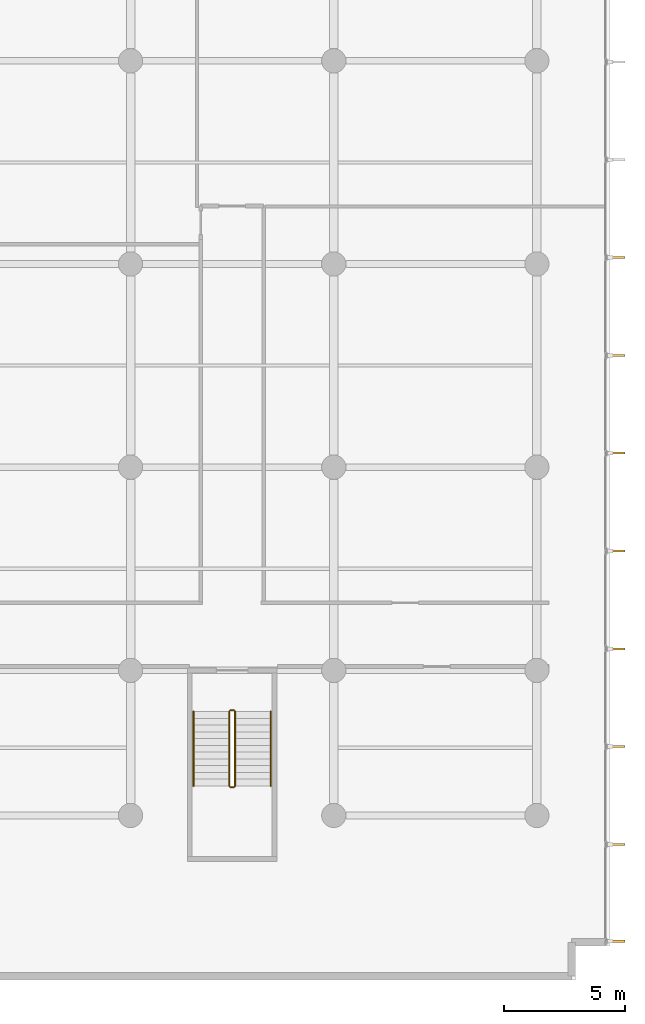
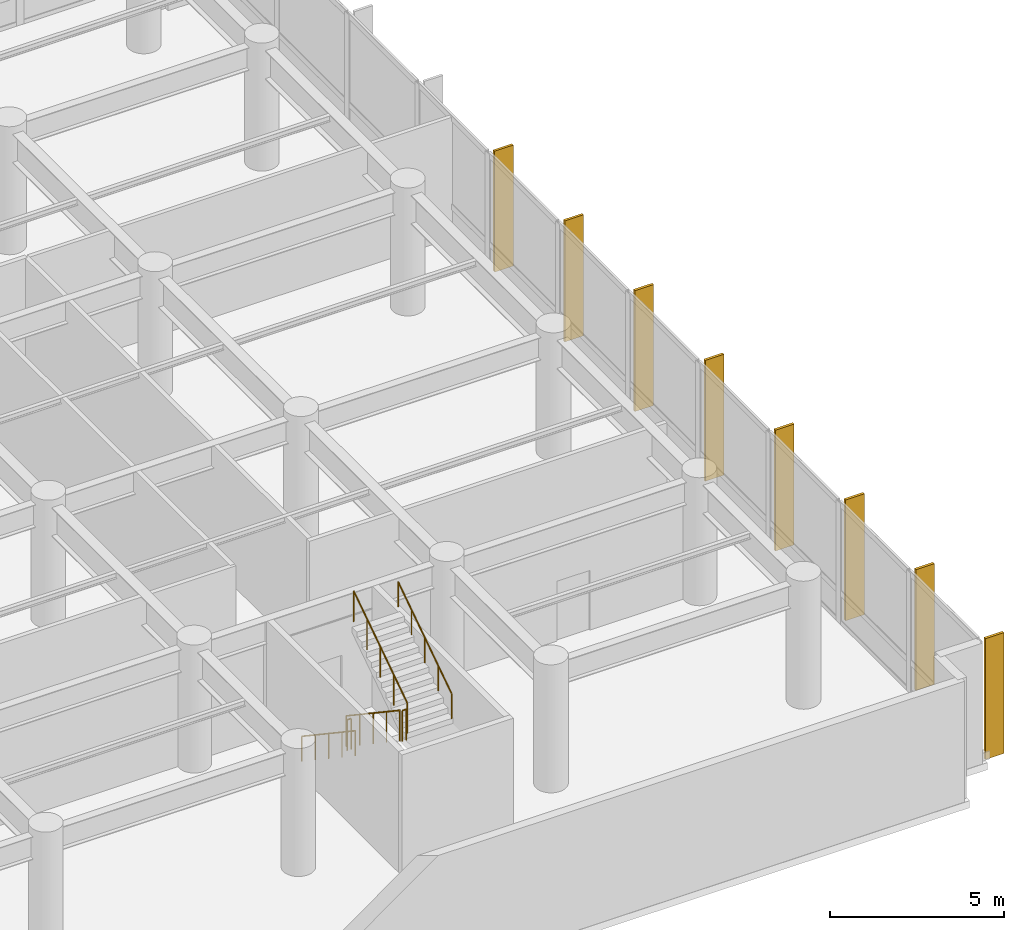
# One storey, part 25 of 26: 8 shading devices, 6 railings.
"""IFC4 building model written with IfcOpenShell, lengths in metres."""

from ifc_helpers import new_model, si_unit, direction, frame, origin, origin_2d, place, context, subcontext, project, spatial, rectangle, circle, extrude, material, layer, layer_set, type_object, element, save


model = new_model("IFC4")

# Units and contexts
model_context = context("Model", 3, precision=1e-05, world=origin(), true_north=direction((0.0, 1.0)))
body_context = subcontext(model_context, "Body", "Model", "MODEL_VIEW")
ifc_project = project(units=[si_unit("LENGTHUNIT", "METRE"), si_unit("AREAUNIT", "SQUARE_METRE"), si_unit("VOLUMEUNIT", "CUBIC_METRE"), si_unit("PLANEANGLEUNIT", "RADIAN"), si_unit("MASSUNIT", "GRAM", prefix="KILO")], contexts=[model_context])

# Site, building, storey
site_placement = place(None, origin())
site = spatial("IfcSite", under=ifc_project, at=site_placement, CompositionType="ELEMENT")
building_placement = place(site_placement, origin())
building = spatial("IfcBuilding", under=site, at=building_placement, Name="Varnakote Quay Hospital", CompositionType="ELEMENT")
storey_placement = place(building_placement, frame((0.0, 0.0, 13.5)))
storey = spatial("IfcBuildingStorey", under=building, at=storey_placement, Name="L03", CompositionType="ELEMENT", Elevation=13.5)

# Railings
ifc_material_1 = material(Name="Brushed stainless steel balustrade", Category="steel")
railing_type_1 = type_object("IfcRailingType", Name="RLG-STAIR-GUARD-1150", PredefinedType="GUARDRAIL", material=ifc_material_1)
railing_1_placement = place(storey_placement, frame((71.280029296875, 10.300048828125, 0.1875)))
element("IfcRailing", 1, at=railing_1_placement, inside=storey, type_object=railing_type_1, Name="L03 ST-06 stair guard 1", PredefinedType="GUARDRAIL", context=body_context, shape_type="SweptSolid", body=[
    extrude(circle(Radius=0.02392578125, at=origin_2d()), frame((0.0, 0.0, 1.076171875), z_axis=(0.0, -0.830913701846, 0.55640131208), x_axis=(1.0, 0.0, 0.0)), (0.0, 0.0, 1.0), 3.706787109375),
    extrude(circle(Radius=0.02099609375, at=origin_2d()), origin(), (0.0, 0.0, 1.0), 1.052001953125),
    extrude(circle(Radius=0.02099609375, at=origin_2d()), frame((0.0, -0.77001953125, 0.515625)), (0.0, 0.0, 1.0), 1.052001953125),
    extrude(circle(Radius=0.02099609375, at=origin_2d()), frame((0.0, -1.5400390625, 1.03125)), (0.0, 0.0, 1.0), 1.052001953125),
    extrude(circle(Radius=0.02099609375, at=origin_2d()), frame((0.0, -2.31005859375, 1.546875)), (0.0, 0.0, 1.0), 1.052001953125),
    extrude(circle(Radius=0.02099609375, at=origin_2d()), frame((0.0, -3.080078125, 2.0625)), (0.0, 0.0, 1.0), 1.052001953125),
])
railing_2_placement = place(storey_placement, frame((71.330078125, 7.169921875, 2.25)))
element("IfcRailing", 2, at=railing_2_placement, inside=storey, type_object=railing_type_1, Name="L03 ST-06 stair guard 2", PredefinedType="GUARDRAIL", context=body_context, shape_type="SweptSolid", body=[
    extrude(circle(Radius=0.02392578125, at=origin_2d()), frame((0.0, 0.0, 1.076171875), z_axis=(1.0, 0.0, 0.0), x_axis=(0.0, 1.0, 0.0)), (0.0, 0.0, 1.0), 0.139892578125),
    extrude(circle(Radius=0.02099609375, at=origin_2d()), origin(), (0.0, 0.0, 1.0), 1.052001953125),
    extrude(circle(Radius=0.02099609375, at=origin_2d()), frame((0.139892578125, 0.0, 0.0)), (0.0, 0.0, 1.0), 1.052001953125),
])
railing_3_placement = place(storey_placement, frame((71.52001953125, 7.219970703125, 2.4375)))
element("IfcRailing", 3, at=railing_3_placement, inside=storey, type_object=railing_type_1, Name="L03 ST-06 stair guard 3", PredefinedType="GUARDRAIL", context=body_context, shape_type="SweptSolid", body=[
    extrude(circle(Radius=0.02392578125, at=origin_2d()), frame((0.0, 0.0, 1.076171875), z_axis=(0.0, 0.830913701846, 0.55640131208), x_axis=(-1.0, 0.0, 0.0)), (0.0, 0.0, 1.0), 3.706787109375),
    extrude(circle(Radius=0.02099609375, at=origin_2d()), origin(), (0.0, 0.0, 1.0), 1.052001953125),
    extrude(circle(Radius=0.02099609375, at=origin_2d()), frame((0.0, 0.77001953125, 0.515625)), (0.0, 0.0, 1.0), 1.052001953125),
    extrude(circle(Radius=0.02099609375, at=origin_2d()), frame((0.0, 1.5400390625, 1.03125)), (0.0, 0.0, 1.0), 1.052001953125),
    extrude(circle(Radius=0.02099609375, at=origin_2d()), frame((0.0, 2.31005859375, 1.546875)), (0.0, 0.0, 1.0), 1.052001953125),
    extrude(circle(Radius=0.02099609375, at=origin_2d()), frame((0.0, 3.080078125, 2.0625)), (0.0, 0.0, 1.0), 1.052001953125),
])
railing_4_placement = place(storey_placement, frame((71.330078125, 10.35009765625, 0.0)))
element("IfcRailing", 4, at=railing_4_placement, inside=storey, type_object=railing_type_1, Name="L03 ST-06 stair guard 4", PredefinedType="GUARDRAIL", context=body_context, shape_type="SweptSolid", body=[
    extrude(circle(Radius=0.02392578125, at=origin_2d()), frame((0.0, 0.0, 1.076171875), z_axis=(1.0, 0.0, 0.0), x_axis=(0.0, 1.0, 0.0)), (0.0, 0.0, 1.0), 0.139892578125),
    extrude(circle(Radius=0.02099609375, at=origin_2d()), origin(), (0.0, 0.0, 1.0), 1.052001953125),
    extrude(circle(Radius=0.02099609375, at=origin_2d()), frame((0.139892578125, 0.0, 0.0)), (0.0, 0.0, 1.0), 1.052001953125),
])
ifc_material_2 = material(Name="Brushed stainless steel handrail", Category="steel")
railing_type_2 = type_object("IfcRailingType", Name="RLG-STAIR-HND-920", PredefinedType="HANDRAIL", material=ifc_material_2)
railing_5_placement = place(storey_placement, frame((69.800048828125, 10.300048828125, 0.1875)))
element("IfcRailing", 5, at=railing_5_placement, inside=storey, type_object=railing_type_2, Name="L03 ST-06 stair handrail 1", PredefinedType="HANDRAIL", context=body_context, shape_type="SweptSolid", body=[
    extrude(circle(Radius=0.02392578125, at=origin_2d()), frame((0.0, 0.0, 0.8759765625), z_axis=(0.0, -0.830913701846, 0.55640131208), x_axis=(1.0, 0.0, 0.0)), (0.0, 0.0, 1.0), 3.706787109375),
    extrude(circle(Radius=0.02099609375, at=origin_2d()), origin(), (0.0, 0.0, 1.0), 0.851806640625),
    extrude(circle(Radius=0.02099609375, at=origin_2d()), frame((0.0, -0.77001953125, 0.515625)), (0.0, 0.0, 1.0), 0.851806640625),
    extrude(circle(Radius=0.02099609375, at=origin_2d()), frame((0.0, -1.5400390625, 1.03125)), (0.0, 0.0, 1.0), 0.851806640625),
    extrude(circle(Radius=0.02099609375, at=origin_2d()), frame((0.0, -2.31005859375, 1.546875)), (0.0, 0.0, 1.0), 0.851806640625),
    extrude(circle(Radius=0.02099609375, at=origin_2d()), frame((0.0, -3.080078125, 2.0625)), (0.0, 0.0, 1.0), 0.851806640625),
])
railing_6_placement = place(storey_placement, frame((73.0, 7.219970703125, 2.4375)))
element("IfcRailing", 6, at=railing_6_placement, inside=storey, type_object=railing_type_2, Name="L03 ST-06 stair handrail 2", PredefinedType="HANDRAIL", context=body_context, shape_type="SweptSolid", body=[
    extrude(circle(Radius=0.02392578125, at=origin_2d()), frame((0.0, 0.0, 0.8759765625), z_axis=(0.0, 0.830913701846, 0.55640131208), x_axis=(-1.0, 0.0, 0.0)), (0.0, 0.0, 1.0), 3.706787109375),
    extrude(circle(Radius=0.02099609375, at=origin_2d()), origin(), (0.0, 0.0, 1.0), 0.851806640625),
    extrude(circle(Radius=0.02099609375, at=origin_2d()), frame((0.0, 0.77001953125, 0.515625)), (0.0, 0.0, 1.0), 0.851806640625),
    extrude(circle(Radius=0.02099609375, at=origin_2d()), frame((0.0, 1.5400390625, 1.03125)), (0.0, 0.0, 1.0), 0.851806640625),
    extrude(circle(Radius=0.02099609375, at=origin_2d()), frame((0.0, 2.31005859375, 1.546875)), (0.0, 0.0, 1.0), 0.851806640625),
    extrude(circle(Radius=0.02099609375, at=origin_2d()), frame((0.0, 3.080078125, 2.0625)), (0.0, 0.0, 1.0), 0.851806640625),
])

# Shading devices
ifc_material_3 = material(Name="Anodised aluminium 6063-T6 Bronze", Category="aluminium")
ifc_layer = layer(ifc_material_3, 0.0849609375)
ifc_layer_set = layer_set([ifc_layer], Name="Anodised aluminium 6063-T6 Bronze")
shading_device_type = type_object("IfcShadingDeviceType", Name="SHD-BRONZE-FIN-620", PredefinedType="USERDEFINED", material=ifc_layer_set)
for number, where, z_axis, x_axis, name in (
    (7, (87.330078125, 0.802490234375, 0.0), (0.0, 0.0, 1.0), (-1.0, 0.0, 0.0), "L03 Anodised Bronze Vertical Shading FIN"),
    (8, (87.330078125, 4.8037109375, 0.0), (0.0, 0.0, 1.0), (-1.0, 0.0, 0.0), "L03 Anodised Bronze Vertical Shading FIN"),
    (9, (87.330078125, 8.847412109375, 0.0), (0.0, 0.0, 1.0), (-1.0, 0.0, 0.0), "L03 Anodised Bronze Vertical Shading FIN"),
    (10, (87.330078125, 12.890869140625, 0.0), (0.0, 0.0, 1.0), (-1.0, 0.0, 0.0), "L03 Anodised Bronze Vertical Shading FIN"),
    (11, (87.330078125, 16.9345703125, 0.0), (0.0, 0.0, 1.0), (-1.0, 0.0, 0.0), "L03 Anodised Bronze Vertical Shading FIN"),
    (12, (87.330078125, 20.978271484375, 0.0), (0.0, 0.0, 1.0), (-1.0, 0.0, 0.0), "L03 Anodised Bronze Vertical Shading FIN"),
    (13, (87.330078125, 25.021728515625, 0.0), (0.0, 0.0, 1.0), (-1.0, 0.0, 0.0), "L03 Anodised Bronze Vertical Shading FIN"),
    (14, (87.330078125, 29.0654296875, 0.0), (0.0, 0.0, 1.0), (-1.0, 0.0, 0.0), "L03 Anodised Bronze Vertical Shading FIN"),
):
    element("IfcShadingDevice", number, at=place(storey_placement, frame(where, z_axis=z_axis, x_axis=x_axis)), inside=storey, type_object=shading_device_type, Name=name, ObjectType="FIN", PredefinedType="USERDEFINED", context=body_context, shape_type="SweptSolid", body=[
        extrude(rectangle(XDim=0.6201171875, YDim=0.0849609375, at=origin_2d()), origin(), (0.0, 0.0, 1.0), 4.25),
    ])

save(model, "model.ifc")
